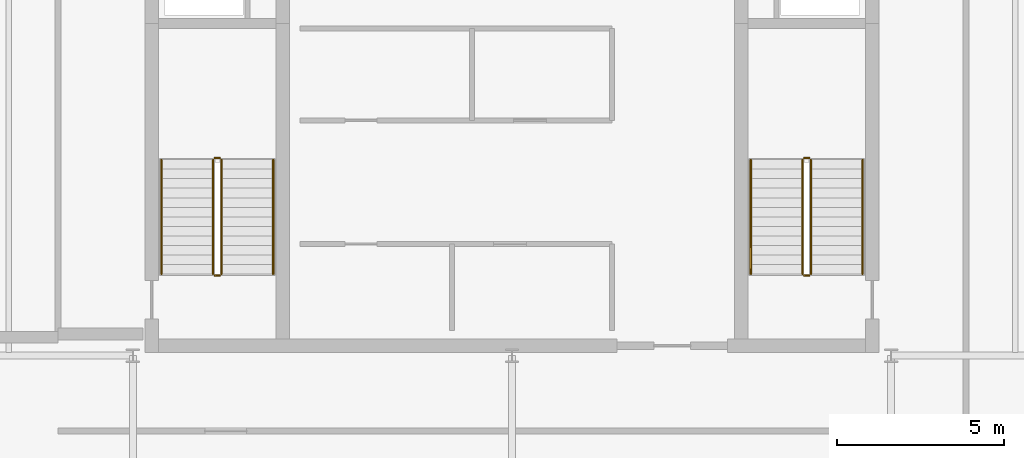
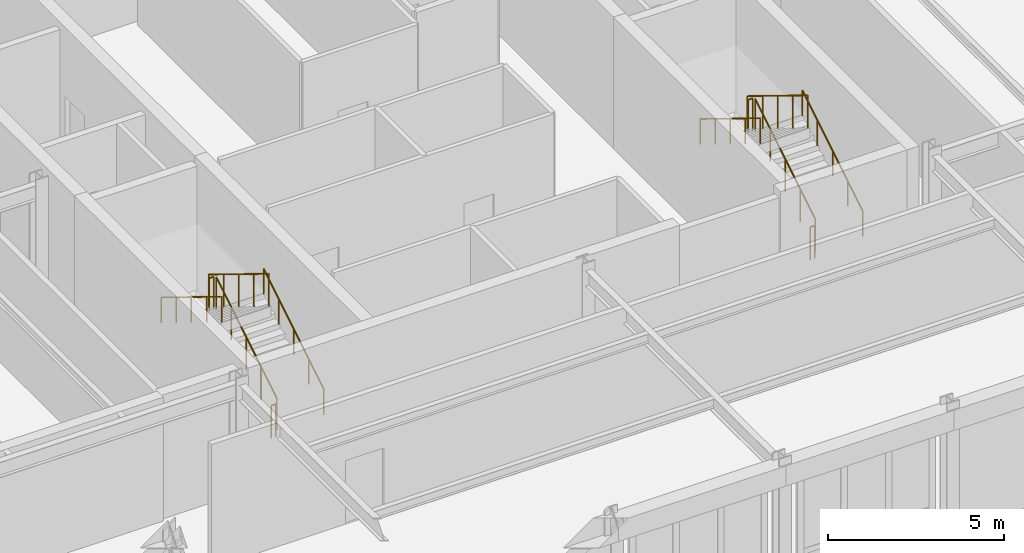
# One storey, part 9 of 9: 12 railings.
"""IFC4 building model written with IfcOpenShell, lengths in metres."""

import ifcopenshell
import ifcopenshell.guid

model = None  # the IFC model being written
_history = None  # IfcOwnerHistory: only IFC2X3 demands one
_inside = {}  # id of a spatial element -> (the spatial element, [elements in it])
_under = {}  # id of a project, library or spatial element -> (it, [spatial elements below it])
_declared = {}  # id of a project -> (the project, [libraries it declares])
_typed = {}  # id of a type object -> (the type object, [elements of that type])
_made_of = {}  # id of a material, layer set ... -> (it, [elements and type objects made of it])


def new_model(schema):
    """Start an empty IFC model of exactly this schema.

    Asked for "IFC4X3", IfcOpenShell would pick the latest addendum, in which some entities
    have other attributes; the version numbers below select the first issue.
    IFC2X3 requires an IfcOwnerHistory on every rooted entity: one is made here for all.
    """
    global model, _history
    if schema == "IFC4X3":
        model = ifcopenshell.file(schema_version=(4, 3, 0, 0))
    else:
        model = ifcopenshell.file(schema=schema)
    _inside.clear()
    _under.clear()
    _declared.clear()
    _typed.clear()
    _made_of.clear()
    _history = None
    if model.schema == "IFC2X3":
        org = make("IfcOrganization", Name="unknown")
        user = make(
            "IfcPersonAndOrganization",
            ThePerson=make("IfcPerson", FamilyName="unknown"),
            TheOrganization=org,
        )
        app = make(
            "IfcApplication",
            ApplicationDeveloper=org,
            Version="unknown",
            ApplicationFullName="unknown",
            ApplicationIdentifier="unknown",
        )
        _history = make(
            "IfcOwnerHistory",
            OwningUser=user,
            OwningApplication=app,
            ChangeAction="ADDED",
            CreationDate=0,
        )
    return model


def make(cls, **values):
    """One entity of the class cls with the attributes given. An attribute that is None is left unset."""
    return model.create_entity(
        cls, **{name: value for name, value in values.items() if value is not None}
    )


def rooted(cls, **values):
    """An entity with a GlobalId (a new one), such as an element, a storey or a relation."""
    return make(cls, GlobalId=ifcopenshell.guid.new(), OwnerHistory=_history, **values)


def si_unit(unit_type, name, prefix=None):
    """IfcSIUnit, for example si_unit("LENGTHUNIT", "METRE", prefix="MILLI")."""
    return make("IfcSIUnit", UnitType=unit_type, Prefix=prefix, Name=name)


def assignment(units):
    """IfcUnitAssignment: the units of a project."""
    return None if units is None else make("IfcUnitAssignment", Units=units)


def point(xyz):
    """IfcCartesianPoint."""
    return None if xyz is None else make("IfcCartesianPoint", Coordinates=xyz)


def direction(xyz):
    """IfcDirection."""
    return None if xyz is None else make("IfcDirection", DirectionRatios=xyz)


def frame(location, z_axis=None, x_axis=None):
    """IfcAxis2Placement3D, a coordinate frame: its origin and axes. An axis left out is left unset."""
    return make(
        "IfcAxis2Placement3D",
        Location=point(location),
        Axis=direction(z_axis),
        RefDirection=direction(x_axis),
    )


def frame_2d(location, x_axis=None):
    """IfcAxis2Placement2D, a coordinate frame in the plane: its origin and x axis."""
    return make(
        "IfcAxis2Placement2D", Location=point(location), RefDirection=direction(x_axis)
    )


def origin():
    """The frame at (0, 0, 0) with its axes left unset."""
    return frame((0.0, 0.0, 0.0))


def origin_2d():
    """The frame at (0, 0) in the plane with its x axis left unset."""
    return frame_2d((0.0, 0.0))


def place(relative_to, where):
    """IfcLocalPlacement: puts the frame where relative to a parent placement (None: the world)."""
    return make(
        "IfcLocalPlacement", PlacementRelTo=relative_to, RelativePlacement=where
    )


def context(
    kind, dimensions, precision=None, world=None, true_north=None, identifier=None
):
    """IfcGeometricRepresentationContext, for example the 3D "Model" context."""
    return make(
        "IfcGeometricRepresentationContext",
        ContextIdentifier=identifier,
        ContextType=kind,
        CoordinateSpaceDimension=dimensions,
        Precision=precision,
        WorldCoordinateSystem=world,
        TrueNorth=true_north,
    )


def subcontext(parent, identifier, kind, view, scale=None):
    """IfcGeometricRepresentationSubContext, for example "Body" below "Model"."""
    return make(
        "IfcGeometricRepresentationSubContext",
        ContextIdentifier=identifier,
        ContextType=kind,
        ParentContext=parent,
        TargetScale=scale,
        TargetView=view,
    )


def project(units=None, contexts=None):
    """IfcProject with its units and contexts."""
    return rooted(
        "IfcProject",
        Name="project",
        RepresentationContexts=contexts,
        UnitsInContext=assignment(units),
    )


def spatial(cls, under=None, at=None, **own):
    """A site, building, storey or space (cls), placed at a placement, below another one or the project."""
    s = rooted(cls, ObjectPlacement=at, **own)
    if under is not None:
        _under.setdefault(under.id(), (under, []))[1].append(s)
    return s


def profile(cls, at=None, kind="AREA", **sizes):
    """A parametric profile (cls). Its sizes go by their IFC names, for example OverallWidth=200.0."""
    return make(cls, ProfileType=kind, Position=at, **sizes)


def circle(**sizes):
    """IfcCircleProfileDef."""
    return profile("IfcCircleProfileDef", **sizes)


def extrude(swept, where, along, depth):
    """IfcExtrudedAreaSolid: the profile swept, set in the frame where, extruded along a direction by depth."""
    return make(
        "IfcExtrudedAreaSolid",
        SweptArea=swept,
        Position=where,
        ExtrudedDirection=direction(along),
        Depth=depth,
    )


def shape(context_of_items, identifier, shape_type, items):
    """IfcShapeRepresentation: the items that make up one representation, for example the "Body"."""
    return make(
        "IfcShapeRepresentation",
        ContextOfItems=context_of_items,
        RepresentationIdentifier=identifier,
        RepresentationType=shape_type,
        Items=items,
    )


def material(Name=None, Category=None):
    """IfcMaterial."""
    return make("IfcMaterial", Name=Name, Category=Category)


def made_of(thing, what):
    """Note that an element or type object is made of a material, layer set ...; save() writes the relation."""
    if what is not None:
        _made_of.setdefault(what.id(), (what, []))[1].append(thing)
    return thing


def type_object(cls, material=None, **own):
    """A type object (cls), such as IfcWallType, which elements share."""
    return made_of(rooted(cls, **own), material)


def element(
    cls,
    number,
    at=None,
    inside=None,
    cuts=None,
    type_object=None,
    material=None,
    context=None,
    identifier="Body",
    shape_type=None,
    held_by="IfcProductDefinitionShape",
    body=None,
    shapes=None,
    **own,
):
    """One element of the class cls, such as IfcWall. Its Tag is "e" and its number.

    at: its placement. inside: the storey or other place that contains it. cuts: it is an
    opening in that element (IfcRelVoidsElement). A single representation is given by context,
    identifier, shape_type and body (its items); several are given by shapes. held_by: the class
    of the entity that holds the representations. save() writes the other relations.
    """
    e = rooted(cls, Tag="e%d" % number, ObjectPlacement=at, **own)
    if body is not None:
        shapes = [shape(context, identifier, shape_type, body)]
    if shapes is not None:
        e.Representation = make(held_by, Representations=shapes)
    if inside is not None:
        _inside.setdefault(inside.id(), (inside, []))[1].append(e)
    if cuts is not None:
        rooted(
            "IfcRelVoidsElement", RelatingBuildingElement=cuts, RelatedOpeningElement=e
        )
    if type_object is not None:
        _typed.setdefault(type_object.id(), (type_object, []))[1].append(e)
    return made_of(e, material)


def aggregate(whole, parts):
    """IfcRelAggregates: a whole, such as a stair, and the parts it consists of."""
    return rooted("IfcRelAggregates", RelatingObject=whole, RelatedObjects=parts)


def save(model, path):
    """Write the relations noted so far, then the file.

    IfcRelAggregates (storeys below a building ...), IfcRelContainedInSpatialStructure (elements
    in a storey), IfcRelDefinesByType, IfcRelAssociatesMaterial and IfcRelDeclares: one each for
    every whole, place, type object, material and project.
    """
    for whole, parts in _under.values():
        aggregate(whole, parts)
    for where, things in _inside.values():
        rooted(
            "IfcRelContainedInSpatialStructure",
            RelatedElements=things,
            RelatingStructure=where,
        )
    for kind, things in _typed.values():
        rooted("IfcRelDefinesByType", RelatedObjects=things, RelatingType=kind)
    for what, things in _made_of.values():
        rooted("IfcRelAssociatesMaterial", RelatedObjects=things, RelatingMaterial=what)
    for by, libraries in _declared.values():
        rooted("IfcRelDeclares", RelatingContext=by, RelatedDefinitions=libraries)
    model.write(path)


model = new_model("IFC4")

# Units and contexts
model_context = context("Model", 3, precision=1e-05, world=origin(), true_north=direction((0.0, 1.0)))
body_context = subcontext(model_context, "Body", "Model", "MODEL_VIEW")
ifc_project = project(units=[si_unit("LENGTHUNIT", "METRE"), si_unit("AREAUNIT", "SQUARE_METRE"), si_unit("VOLUMEUNIT", "CUBIC_METRE"), si_unit("PLANEANGLEUNIT", "RADIAN"), si_unit("MASSUNIT", "GRAM", prefix="KILO")], contexts=[model_context])

# Site, building, storey
site_placement = place(None, origin())
site = spatial("IfcSite", under=ifc_project, at=site_placement, CompositionType="ELEMENT")
building_placement = place(site_placement, origin())
building = spatial("IfcBuilding", under=site, at=building_placement, Name="Nhamokura Convention Tower", CompositionType="ELEMENT")
storey_placement = place(building_placement, frame((0.0, 0.0, 322.35009765625)))
storey = spatial("IfcBuildingStorey", under=building, at=storey_placement, Name="L79", CompositionType="ELEMENT", Elevation=322.35009765625)

# Railings
ifc_material_1 = material(Name="Anodised bronze stainless steel", Category="steel")
railing_type_1 = type_object("IfcRailingType", Name="StairWallHandrail_900", PredefinedType="HANDRAIL", material=ifc_material_1)
railing_1_placement = place(storey_placement, frame((24.85009765625, 23.10009765625, 0.1748046875)))
element("IfcRailing", 1, at=railing_1_placement, inside=storey, type_object=railing_type_1, Name="L79 ST-01 stair handrail 1", PredefinedType="HANDRAIL", context=body_context, shape_type="SweptSolid", body=[
    extrude(circle(Radius=0.02392578125, at=origin_2d()), frame((0.0, 0.0, 0.8759765625), z_axis=(0.0, 0.852155044755, 0.523289384279), x_axis=(-1.0, 0.0, 0.0)), (0.0, 0.0, 1.0), 4.01318359375),
    extrude(circle(Radius=0.02099609375, at=origin_2d()), origin(), (0.0, 0.0, 1.0), 0.851806640625),
    extrude(circle(Radius=0.02099609375, at=origin_2d()), frame((0.0, 0.85498046875, 0.52490234375)), (0.0, 0.0, 1.0), 0.851806640625),
    extrude(circle(Radius=0.02099609375, at=origin_2d()), frame((0.0, 1.7099609375, 1.050048828125)), (0.0, 0.0, 1.0), 0.851806640625),
    extrude(circle(Radius=0.02099609375, at=origin_2d()), frame((0.0, 2.56494140625, 1.5751953125)), (0.0, 0.0, 1.0), 0.851806640625),
    extrude(circle(Radius=0.02099609375, at=origin_2d()), frame((0.0, 3.419921875, 2.10009765625)), (0.0, 0.0, 1.0), 0.851806640625),
])
railing_2_placement = place(storey_placement, frame((21.5, 26.52001953125, 2.449951171875)))
element("IfcRailing", 2, at=railing_2_placement, inside=storey, type_object=railing_type_1, Name="L79 ST-01 stair handrail 2", PredefinedType="HANDRAIL", context=body_context, shape_type="SweptSolid", body=[
    extrude(circle(Radius=0.02392578125, at=origin_2d()), frame((0.0, 0.0, 0.8759765625), z_axis=(0.0, -0.852182171552, 0.523245206847), x_axis=(1.0, 0.0, 0.0)), (0.0, 0.0, 1.0), 4.01318359375),
    extrude(circle(Radius=0.02099609375, at=origin_2d()), origin(), (0.0, 0.0, 1.0), 0.851806640625),
    extrude(circle(Radius=0.02099609375, at=origin_2d()), frame((0.0, -0.85498046875, 0.52490234375)), (0.0, 0.0, 1.0), 0.851806640625),
    extrude(circle(Radius=0.02099609375, at=origin_2d()), frame((0.0, -1.7099609375, 1.0498046875)), (0.0, 0.0, 1.0), 0.851806640625),
    extrude(circle(Radius=0.02099609375, at=origin_2d()), frame((0.0, -2.56494140625, 1.574951171875)), (0.0, 0.0, 1.0), 0.851806640625),
    extrude(circle(Radius=0.02099609375, at=origin_2d()), frame((0.0, -3.419921875, 2.099853515625)), (0.0, 0.0, 1.0), 0.851806640625),
])
railing_3_placement = place(storey_placement, frame((42.5, 23.10009765625, 0.1748046875)))
element("IfcRailing", 3, at=railing_3_placement, inside=storey, type_object=railing_type_1, Name="L79 ST-02 stair handrail 1", PredefinedType="HANDRAIL", context=body_context, shape_type="SweptSolid", body=[
    extrude(circle(Radius=0.02392578125, at=origin_2d()), frame((0.0, 0.0, 0.8759765625), z_axis=(0.0, 0.852155044755, 0.523289384279), x_axis=(-1.0, 0.0, 0.0)), (0.0, 0.0, 1.0), 4.01318359375),
    extrude(circle(Radius=0.02099609375, at=origin_2d()), origin(), (0.0, 0.0, 1.0), 0.851806640625),
    extrude(circle(Radius=0.02099609375, at=origin_2d()), frame((0.0, 0.85498046875, 0.52490234375)), (0.0, 0.0, 1.0), 0.851806640625),
    extrude(circle(Radius=0.02099609375, at=origin_2d()), frame((0.0, 1.7099609375, 1.050048828125)), (0.0, 0.0, 1.0), 0.851806640625),
    extrude(circle(Radius=0.02099609375, at=origin_2d()), frame((0.0, 2.56494140625, 1.5751953125)), (0.0, 0.0, 1.0), 0.851806640625),
    extrude(circle(Radius=0.02099609375, at=origin_2d()), frame((0.0, 3.419921875, 2.10009765625)), (0.0, 0.0, 1.0), 0.851806640625),
])
railing_4_placement = place(storey_placement, frame((39.14990234375, 26.52001953125, 2.449951171875)))
element("IfcRailing", 4, at=railing_4_placement, inside=storey, type_object=railing_type_1, Name="L79 ST-02 stair handrail 2", PredefinedType="HANDRAIL", context=body_context, shape_type="SweptSolid", body=[
    extrude(circle(Radius=0.02392578125, at=origin_2d()), frame((0.0, 0.0, 0.8759765625), z_axis=(0.0, -0.852182171552, 0.523245206847), x_axis=(1.0, 0.0, 0.0)), (0.0, 0.0, 1.0), 4.01318359375),
    extrude(circle(Radius=0.02099609375, at=origin_2d()), origin(), (0.0, 0.0, 1.0), 0.851806640625),
    extrude(circle(Radius=0.02099609375, at=origin_2d()), frame((0.0, -0.85498046875, 0.52490234375)), (0.0, 0.0, 1.0), 0.851806640625),
    extrude(circle(Radius=0.02099609375, at=origin_2d()), frame((0.0, -1.7099609375, 1.0498046875)), (0.0, 0.0, 1.0), 0.851806640625),
    extrude(circle(Radius=0.02099609375, at=origin_2d()), frame((0.0, -2.56494140625, 1.574951171875)), (0.0, 0.0, 1.0), 0.851806640625),
    extrude(circle(Radius=0.02099609375, at=origin_2d()), frame((0.0, -3.419921875, 2.099853515625)), (0.0, 0.0, 1.0), 0.851806640625),
])
ifc_material_2 = material(Name="Painted tubular steel", Category="steel")
railing_type_2 = type_object("IfcRailingType", Name="StairWellGuardrail_1150", PredefinedType="GUARDRAIL", material=ifc_material_2)
railing_5_placement = place(storey_placement, frame((23.300048828125, 23.10009765625, 0.1748046875)))
element("IfcRailing", 5, at=railing_5_placement, inside=storey, type_object=railing_type_2, Name="L79 ST-01 stair guard 1", PredefinedType="GUARDRAIL", context=body_context, shape_type="SweptSolid", body=[
    extrude(circle(Radius=0.02392578125, at=origin_2d()), frame((0.0, 0.0, 1.1259765625), z_axis=(0.0, 0.852155044755, 0.523289384279), x_axis=(-1.0, 0.0, 0.0)), (0.0, 0.0, 1.0), 4.01318359375),
    extrude(circle(Radius=0.02099609375, at=origin_2d()), origin(), (0.0, 0.0, 1.0), 1.101806640625),
    extrude(circle(Radius=0.02099609375, at=origin_2d()), frame((0.0, 0.85498046875, 0.52490234375)), (0.0, 0.0, 1.0), 1.101806640625),
    extrude(circle(Radius=0.02099609375, at=origin_2d()), frame((0.0, 1.7099609375, 1.050048828125)), (0.0, 0.0, 1.0), 1.101806640625),
    extrude(circle(Radius=0.02099609375, at=origin_2d()), frame((0.0, 2.56494140625, 1.5751953125)), (0.0, 0.0, 1.0), 1.101806640625),
    extrude(circle(Radius=0.02099609375, at=origin_2d()), frame((0.0, 3.419921875, 2.10009765625)), (0.0, 0.0, 1.0), 1.101806640625),
])
railing_6_placement = place(storey_placement, frame((23.25, 26.570068359375, 2.27490234375)))
element("IfcRailing", 6, at=railing_6_placement, inside=storey, type_object=railing_type_2, Name="L79 ST-01 stair guard 2", PredefinedType="GUARDRAIL", context=body_context, shape_type="SweptSolid", body=[
    extrude(circle(Radius=0.02392578125, at=origin_2d()), frame((0.0, 0.0, 1.1259765625), z_axis=(-1.0, 0.0, 0.0), x_axis=(0.0, -1.0, 0.0)), (0.0, 0.0, 1.0), 0.14990234375),
    extrude(circle(Radius=0.02099609375, at=origin_2d()), origin(), (0.0, 0.0, 1.0), 1.101806640625),
    extrude(circle(Radius=0.02099609375, at=origin_2d()), frame((-0.14990234375, 0.0, 0.0)), (0.0, 0.0, 1.0), 1.101806640625),
])
railing_7_placement = place(storey_placement, frame((23.050048828125, 26.52001953125, 2.449951171875)))
element("IfcRailing", 7, at=railing_7_placement, inside=storey, type_object=railing_type_2, Name="L79 ST-01 stair guard 3", PredefinedType="GUARDRAIL", context=body_context, shape_type="SweptSolid", body=[
    extrude(circle(Radius=0.02392578125, at=origin_2d()), frame((0.0, 0.0, 1.1259765625), z_axis=(0.0, -0.852182171552, 0.523245206847), x_axis=(1.0, 0.0, 0.0)), (0.0, 0.0, 1.0), 4.01318359375),
    extrude(circle(Radius=0.02099609375, at=origin_2d()), origin(), (0.0, 0.0, 1.0), 1.101806640625),
    extrude(circle(Radius=0.02099609375, at=origin_2d()), frame((0.0, -0.85498046875, 0.52490234375)), (0.0, 0.0, 1.0), 1.101806640625),
    extrude(circle(Radius=0.02099609375, at=origin_2d()), frame((0.0, -1.7099609375, 1.0498046875)), (0.0, 0.0, 1.0), 1.101806640625),
    extrude(circle(Radius=0.02099609375, at=origin_2d()), frame((0.0, -2.56494140625, 1.574951171875)), (0.0, 0.0, 1.0), 1.101806640625),
    extrude(circle(Radius=0.02099609375, at=origin_2d()), frame((0.0, -3.419921875, 2.099853515625)), (0.0, 0.0, 1.0), 1.101806640625),
])
railing_8_placement = place(storey_placement, frame((23.25, 23.050048828125, 0.0)))
element("IfcRailing", 8, at=railing_8_placement, inside=storey, type_object=railing_type_2, Name="L79 ST-01 stair guard 4", PredefinedType="GUARDRAIL", context=body_context, shape_type="SweptSolid", body=[
    extrude(circle(Radius=0.02392578125, at=origin_2d()), frame((0.0, 0.0, 1.1259765625), z_axis=(-1.0, 0.0, 0.0), x_axis=(0.0, -1.0, 0.0)), (0.0, 0.0, 1.0), 0.14990234375),
    extrude(circle(Radius=0.02099609375, at=origin_2d()), origin(), (0.0, 0.0, 1.0), 1.101806640625),
    extrude(circle(Radius=0.02099609375, at=origin_2d()), frame((-0.14990234375, 0.0, 0.0)), (0.0, 0.0, 1.0), 1.101806640625),
])
railing_9_placement = place(storey_placement, frame((40.949951171875, 23.10009765625, 0.1748046875)))
element("IfcRailing", 9, at=railing_9_placement, inside=storey, type_object=railing_type_2, Name="L79 ST-02 stair guard 1", PredefinedType="GUARDRAIL", context=body_context, shape_type="SweptSolid", body=[
    extrude(circle(Radius=0.02392578125, at=origin_2d()), frame((0.0, 0.0, 1.1259765625), z_axis=(0.0, 0.852155044755, 0.523289384279), x_axis=(-1.0, 0.0, 0.0)), (0.0, 0.0, 1.0), 4.01318359375),
    extrude(circle(Radius=0.02099609375, at=origin_2d()), origin(), (0.0, 0.0, 1.0), 1.101806640625),
    extrude(circle(Radius=0.02099609375, at=origin_2d()), frame((0.0, 0.85498046875, 0.52490234375)), (0.0, 0.0, 1.0), 1.101806640625),
    extrude(circle(Radius=0.02099609375, at=origin_2d()), frame((0.0, 1.7099609375, 1.050048828125)), (0.0, 0.0, 1.0), 1.101806640625),
    extrude(circle(Radius=0.02099609375, at=origin_2d()), frame((0.0, 2.56494140625, 1.5751953125)), (0.0, 0.0, 1.0), 1.101806640625),
    extrude(circle(Radius=0.02099609375, at=origin_2d()), frame((0.0, 3.419921875, 2.10009765625)), (0.0, 0.0, 1.0), 1.101806640625),
])
railing_10_placement = place(storey_placement, frame((40.89990234375, 26.570068359375, 2.27490234375)))
element("IfcRailing", 10, at=railing_10_placement, inside=storey, type_object=railing_type_2, Name="L79 ST-02 stair guard 2", PredefinedType="GUARDRAIL", context=body_context, shape_type="SweptSolid", body=[
    extrude(circle(Radius=0.02392578125, at=origin_2d()), frame((0.0, 0.0, 1.1259765625), z_axis=(-1.0, 0.0, 0.0), x_axis=(0.0, -1.0, 0.0)), (0.0, 0.0, 1.0), 0.14990234375),
    extrude(circle(Radius=0.02099609375, at=origin_2d()), origin(), (0.0, 0.0, 1.0), 1.101806640625),
    extrude(circle(Radius=0.02099609375, at=origin_2d()), frame((-0.14990234375, 0.0, 0.0)), (0.0, 0.0, 1.0), 1.101806640625),
])
railing_11_placement = place(storey_placement, frame((40.699951171875, 26.52001953125, 2.449951171875)))
element("IfcRailing", 11, at=railing_11_placement, inside=storey, type_object=railing_type_2, Name="L79 ST-02 stair guard 3", PredefinedType="GUARDRAIL", context=body_context, shape_type="SweptSolid", body=[
    extrude(circle(Radius=0.02392578125, at=origin_2d()), frame((0.0, 0.0, 1.1259765625), z_axis=(0.0, -0.852182171552, 0.523245206847), x_axis=(1.0, 0.0, 0.0)), (0.0, 0.0, 1.0), 4.01318359375),
    extrude(circle(Radius=0.02099609375, at=origin_2d()), origin(), (0.0, 0.0, 1.0), 1.101806640625),
    extrude(circle(Radius=0.02099609375, at=origin_2d()), frame((0.0, -0.85498046875, 0.52490234375)), (0.0, 0.0, 1.0), 1.101806640625),
    extrude(circle(Radius=0.02099609375, at=origin_2d()), frame((0.0, -1.7099609375, 1.0498046875)), (0.0, 0.0, 1.0), 1.101806640625),
    extrude(circle(Radius=0.02099609375, at=origin_2d()), frame((0.0, -2.56494140625, 1.574951171875)), (0.0, 0.0, 1.0), 1.101806640625),
    extrude(circle(Radius=0.02099609375, at=origin_2d()), frame((0.0, -3.419921875, 2.099853515625)), (0.0, 0.0, 1.0), 1.101806640625),
])
railing_12_placement = place(storey_placement, frame((40.89990234375, 23.050048828125, 0.0)))
element("IfcRailing", 12, at=railing_12_placement, inside=storey, type_object=railing_type_2, Name="L79 ST-02 stair guard 4", PredefinedType="GUARDRAIL", context=body_context, shape_type="SweptSolid", body=[
    extrude(circle(Radius=0.02392578125, at=origin_2d()), frame((0.0, 0.0, 1.1259765625), z_axis=(-1.0, 0.0, 0.0), x_axis=(0.0, -1.0, 0.0)), (0.0, 0.0, 1.0), 0.14990234375),
    extrude(circle(Radius=0.02099609375, at=origin_2d()), origin(), (0.0, 0.0, 1.0), 1.101806640625),
    extrude(circle(Radius=0.02099609375, at=origin_2d()), frame((-0.14990234375, 0.0, 0.0)), (0.0, 0.0, 1.0), 1.101806640625),
])

save(model, "model.ifc")
